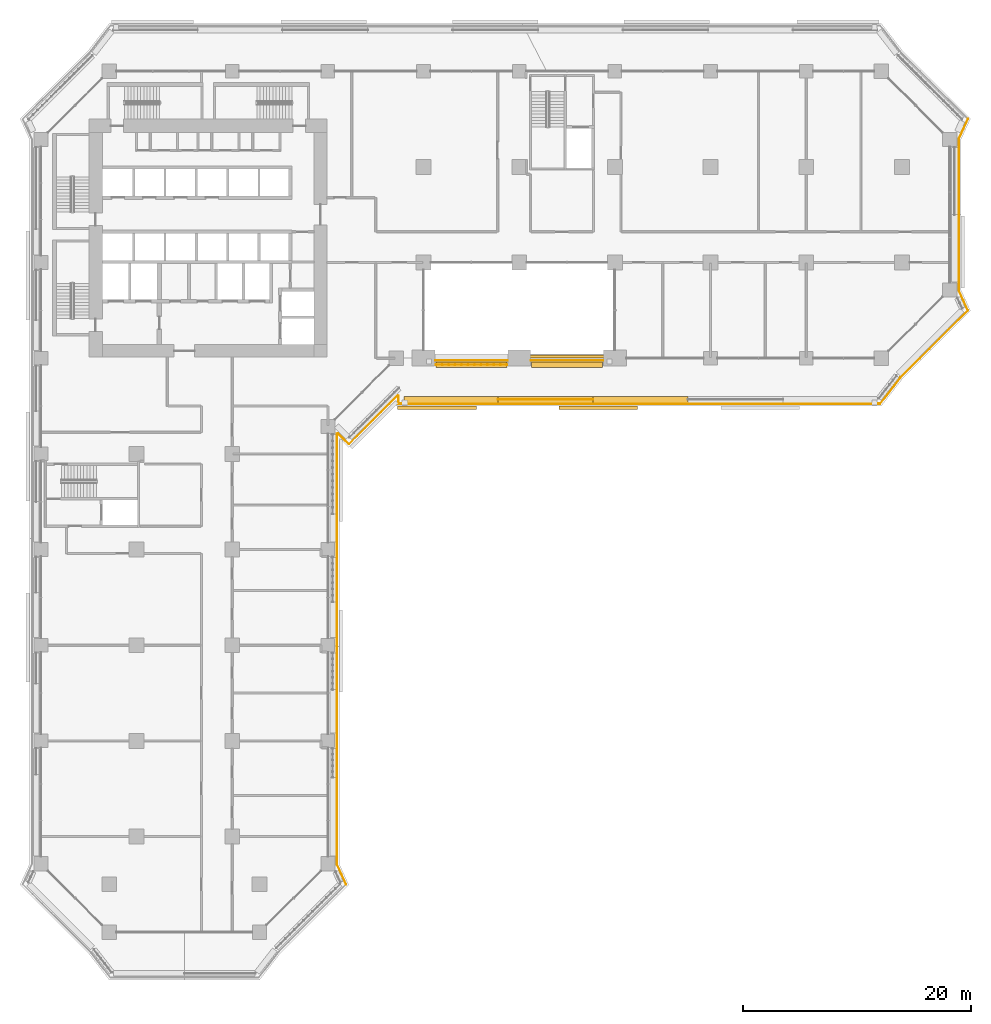
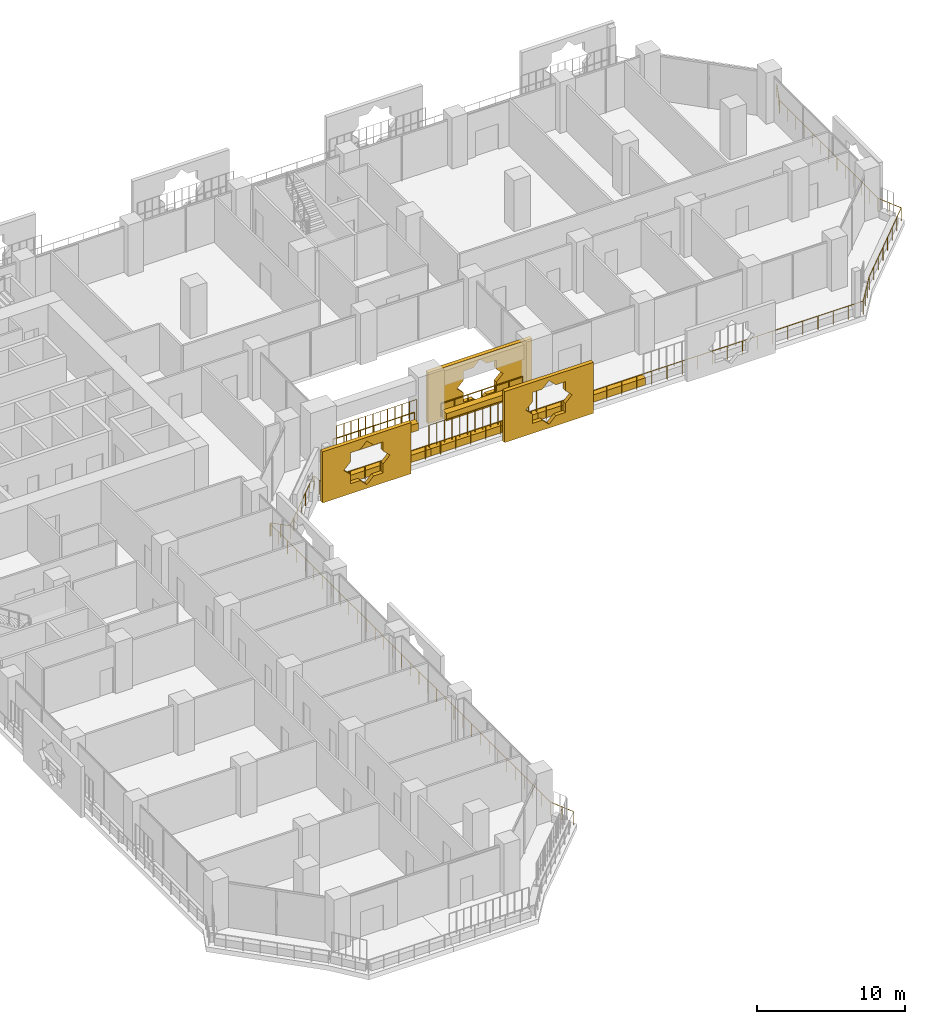
# One storey, part 24 of 28: 8 coverings, 5 railings.
"""IFC4 building model written with IfcOpenShell, lengths in metres."""

import ifcopenshell
import ifcopenshell.guid

model = None  # the IFC model being written
_history = None  # IfcOwnerHistory: only IFC2X3 demands one
_inside = {}  # id of a spatial element -> (the spatial element, [elements in it])
_under = {}  # id of a project, library or spatial element -> (it, [spatial elements below it])
_declared = {}  # id of a project -> (the project, [libraries it declares])
_typed = {}  # id of a type object -> (the type object, [elements of that type])
_made_of = {}  # id of a material, layer set ... -> (it, [elements and type objects made of it])


def new_model(schema):
    """Start an empty IFC model of exactly this schema.

    Asked for "IFC4X3", IfcOpenShell would pick the latest addendum, in which some entities
    have other attributes; the version numbers below select the first issue.
    IFC2X3 requires an IfcOwnerHistory on every rooted entity: one is made here for all.
    """
    global model, _history
    if schema == "IFC4X3":
        model = ifcopenshell.file(schema_version=(4, 3, 0, 0))
    else:
        model = ifcopenshell.file(schema=schema)
    _inside.clear()
    _under.clear()
    _declared.clear()
    _typed.clear()
    _made_of.clear()
    _history = None
    if model.schema == "IFC2X3":
        org = make("IfcOrganization", Name="unknown")
        user = make(
            "IfcPersonAndOrganization",
            ThePerson=make("IfcPerson", FamilyName="unknown"),
            TheOrganization=org,
        )
        app = make(
            "IfcApplication",
            ApplicationDeveloper=org,
            Version="unknown",
            ApplicationFullName="unknown",
            ApplicationIdentifier="unknown",
        )
        _history = make(
            "IfcOwnerHistory",
            OwningUser=user,
            OwningApplication=app,
            ChangeAction="ADDED",
            CreationDate=0,
        )
    return model


def make(cls, **values):
    """One entity of the class cls with the attributes given. An attribute that is None is left unset."""
    return model.create_entity(
        cls, **{name: value for name, value in values.items() if value is not None}
    )


def rooted(cls, **values):
    """An entity with a GlobalId (a new one), such as an element, a storey or a relation."""
    return make(cls, GlobalId=ifcopenshell.guid.new(), OwnerHistory=_history, **values)


def si_unit(unit_type, name, prefix=None):
    """IfcSIUnit, for example si_unit("LENGTHUNIT", "METRE", prefix="MILLI")."""
    return make("IfcSIUnit", UnitType=unit_type, Prefix=prefix, Name=name)


def assignment(units):
    """IfcUnitAssignment: the units of a project."""
    return None if units is None else make("IfcUnitAssignment", Units=units)


def point(xyz):
    """IfcCartesianPoint."""
    return None if xyz is None else make("IfcCartesianPoint", Coordinates=xyz)


def direction(xyz):
    """IfcDirection."""
    return None if xyz is None else make("IfcDirection", DirectionRatios=xyz)


def frame(location, z_axis=None, x_axis=None):
    """IfcAxis2Placement3D, a coordinate frame: its origin and axes. An axis left out is left unset."""
    return make(
        "IfcAxis2Placement3D",
        Location=point(location),
        Axis=direction(z_axis),
        RefDirection=direction(x_axis),
    )


def frame_2d(location, x_axis=None):
    """IfcAxis2Placement2D, a coordinate frame in the plane: its origin and x axis."""
    return make(
        "IfcAxis2Placement2D", Location=point(location), RefDirection=direction(x_axis)
    )


def origin():
    """The frame at (0, 0, 0) with its axes left unset."""
    return frame((0.0, 0.0, 0.0))


def origin_2d():
    """The frame at (0, 0) in the plane with its x axis left unset."""
    return frame_2d((0.0, 0.0))


def place(relative_to, where):
    """IfcLocalPlacement: puts the frame where relative to a parent placement (None: the world)."""
    return make(
        "IfcLocalPlacement", PlacementRelTo=relative_to, RelativePlacement=where
    )


def context(
    kind, dimensions, precision=None, world=None, true_north=None, identifier=None
):
    """IfcGeometricRepresentationContext, for example the 3D "Model" context."""
    return make(
        "IfcGeometricRepresentationContext",
        ContextIdentifier=identifier,
        ContextType=kind,
        CoordinateSpaceDimension=dimensions,
        Precision=precision,
        WorldCoordinateSystem=world,
        TrueNorth=true_north,
    )


def subcontext(parent, identifier, kind, view, scale=None):
    """IfcGeometricRepresentationSubContext, for example "Body" below "Model"."""
    return make(
        "IfcGeometricRepresentationSubContext",
        ContextIdentifier=identifier,
        ContextType=kind,
        ParentContext=parent,
        TargetScale=scale,
        TargetView=view,
    )


def project(units=None, contexts=None):
    """IfcProject with its units and contexts."""
    return rooted(
        "IfcProject",
        Name="project",
        RepresentationContexts=contexts,
        UnitsInContext=assignment(units),
    )


def spatial(cls, under=None, at=None, **own):
    """A site, building, storey or space (cls), placed at a placement, below another one or the project."""
    s = rooted(cls, ObjectPlacement=at, **own)
    if under is not None:
        _under.setdefault(under.id(), (under, []))[1].append(s)
    return s


def polyline(points):
    """IfcPolyline through the points."""
    return make("IfcPolyline", Points=[point(p) for p in points])


def profile(cls, at=None, kind="AREA", **sizes):
    """A parametric profile (cls). Its sizes go by their IFC names, for example OverallWidth=200.0."""
    return make(cls, ProfileType=kind, Position=at, **sizes)


def rectangle(**sizes):
    """IfcRectangleProfileDef."""
    return profile("IfcRectangleProfileDef", **sizes)


def circle(**sizes):
    """IfcCircleProfileDef."""
    return profile("IfcCircleProfileDef", **sizes)


def outline(outer, holes=None, kind="AREA"):
    """IfcArbitraryClosedProfileDef: a profile drawn as a closed curve; with holes, ...WithVoids."""
    if holes is None:
        return make("IfcArbitraryClosedProfileDef", ProfileType=kind, OuterCurve=outer)
    return make(
        "IfcArbitraryProfileDefWithVoids",
        ProfileType=kind,
        OuterCurve=outer,
        InnerCurves=holes,
    )


def extrude(swept, where, along, depth):
    """IfcExtrudedAreaSolid: the profile swept, set in the frame where, extruded along a direction by depth."""
    return make(
        "IfcExtrudedAreaSolid",
        SweptArea=swept,
        Position=where,
        ExtrudedDirection=direction(along),
        Depth=depth,
    )


def shape(context_of_items, identifier, shape_type, items):
    """IfcShapeRepresentation: the items that make up one representation, for example the "Body"."""
    return make(
        "IfcShapeRepresentation",
        ContextOfItems=context_of_items,
        RepresentationIdentifier=identifier,
        RepresentationType=shape_type,
        Items=items,
    )


def material(Name=None, Category=None):
    """IfcMaterial."""
    return make("IfcMaterial", Name=Name, Category=Category)


def material_profile(
    of_material, cross_section, Name=None, Category=None, Priority=None
):
    """IfcMaterialProfile: a cross section and its material."""
    return make(
        "IfcMaterialProfile",
        Name=Name,
        Material=of_material,
        Profile=cross_section,
        Priority=Priority,
        Category=Category,
    )


def profile_set(profiles, Name=None, composite=None):
    """IfcMaterialProfileSet."""
    return make(
        "IfcMaterialProfileSet",
        Name=Name,
        MaterialProfiles=profiles,
        CompositeProfile=composite,
    )


def made_of(thing, what):
    """Note that an element or type object is made of a material, layer set ...; save() writes the relation."""
    if what is not None:
        _made_of.setdefault(what.id(), (what, []))[1].append(thing)
    return thing


def type_object(cls, material=None, **own):
    """A type object (cls), such as IfcWallType, which elements share."""
    return made_of(rooted(cls, **own), material)


def element(
    cls,
    number,
    at=None,
    inside=None,
    cuts=None,
    type_object=None,
    material=None,
    context=None,
    identifier="Body",
    shape_type=None,
    held_by="IfcProductDefinitionShape",
    body=None,
    shapes=None,
    **own,
):
    """One element of the class cls, such as IfcWall. Its Tag is "e" and its number.

    at: its placement. inside: the storey or other place that contains it. cuts: it is an
    opening in that element (IfcRelVoidsElement). A single representation is given by context,
    identifier, shape_type and body (its items); several are given by shapes. held_by: the class
    of the entity that holds the representations. save() writes the other relations.
    """
    e = rooted(cls, Tag="e%d" % number, ObjectPlacement=at, **own)
    if body is not None:
        shapes = [shape(context, identifier, shape_type, body)]
    if shapes is not None:
        e.Representation = make(held_by, Representations=shapes)
    if inside is not None:
        _inside.setdefault(inside.id(), (inside, []))[1].append(e)
    if cuts is not None:
        rooted(
            "IfcRelVoidsElement", RelatingBuildingElement=cuts, RelatedOpeningElement=e
        )
    if type_object is not None:
        _typed.setdefault(type_object.id(), (type_object, []))[1].append(e)
    return made_of(e, material)


def aggregate(whole, parts):
    """IfcRelAggregates: a whole, such as a stair, and the parts it consists of."""
    return rooted("IfcRelAggregates", RelatingObject=whole, RelatedObjects=parts)


def save(model, path):
    """Write the relations noted so far, then the file.

    IfcRelAggregates (storeys below a building ...), IfcRelContainedInSpatialStructure (elements
    in a storey), IfcRelDefinesByType, IfcRelAssociatesMaterial and IfcRelDeclares: one each for
    every whole, place, type object, material and project.
    """
    for whole, parts in _under.values():
        aggregate(whole, parts)
    for where, things in _inside.values():
        rooted(
            "IfcRelContainedInSpatialStructure",
            RelatedElements=things,
            RelatingStructure=where,
        )
    for kind, things in _typed.values():
        rooted("IfcRelDefinesByType", RelatedObjects=things, RelatingType=kind)
    for what, things in _made_of.values():
        rooted("IfcRelAssociatesMaterial", RelatedObjects=things, RelatingMaterial=what)
    for by, libraries in _declared.values():
        rooted("IfcRelDeclares", RelatingContext=by, RelatedDefinitions=libraries)
    model.write(path)


model = new_model("IFC4")

# Units and contexts
model_context = context("Model", 3, precision=1e-05, world=origin(), true_north=direction((0.0, 1.0)))
body_context = subcontext(model_context, "Body", "Model", "MODEL_VIEW")
ifc_project = project(units=[si_unit("LENGTHUNIT", "METRE"), si_unit("AREAUNIT", "SQUARE_METRE"), si_unit("VOLUMEUNIT", "CUBIC_METRE"), si_unit("PLANEANGLEUNIT", "RADIAN"), si_unit("MASSUNIT", "GRAM", prefix="KILO")], contexts=[model_context])

# Site, building, storey
site_placement = place(None, origin())
site = spatial("IfcSite", under=ifc_project, at=site_placement, CompositionType="ELEMENT")
building_placement = place(site_placement, origin())
building = spatial("IfcBuilding", under=site, at=building_placement, Name="Kawkab Arch Medical Tower", CompositionType="ELEMENT")
storey_placement = place(building_placement, frame((0.0, 0.0, 47.60009765625)))
storey = spatial("IfcBuildingStorey", under=building, at=storey_placement, Name="L10", CompositionType="ELEMENT", Elevation=47.60009765625)

# Railings
ifc_material_1 = material(Name="Bronze anodised aluminium guard", Category="aluminium")
railing_type_1 = type_object("IfcRailingType", Name="Loggia and terrace guard 1100", PredefinedType="GUARDRAIL", material=ifc_material_1)
for number, where, name in (
    (1, (34.6298828125, -25.39990234375, 0.0), "Guard L10.LOG-01.1.1"),
    (2, (43.030029296875, -25.39990234375, 0.0), "Guard L10.LOG-01.1.2"),
):
    element("IfcRailing", number, at=place(storey_placement, frame(where)), inside=storey, type_object=railing_type_1, Name=name, PredefinedType="GUARDRAIL", context=body_context, shape_type="SweptSolid", body=[
        extrude(circle(Radius=0.02392578125, at=origin_2d()), frame((0.0, 0.0, 1.076171875), z_axis=(1.0, 0.0, 0.0), x_axis=(0.0, 1.0, 0.0)), (0.0, 0.0, 1.0), 6.340087890625),
        extrude(circle(Radius=0.02099609375, at=origin_2d()), origin(), (0.0, 0.0, 1.0), 1.052001953125),
        extrude(circle(Radius=0.02099609375, at=origin_2d()), frame((1.056640625, 0.0, 0.0)), (0.0, 0.0, 1.0), 1.052001953125),
        extrude(circle(Radius=0.02099609375, at=origin_2d()), frame((2.11328125, 0.0, 0.0)), (0.0, 0.0, 1.0), 1.052001953125),
        extrude(circle(Radius=0.02099609375, at=origin_2d()), frame((3.169921875, 0.0, 0.0)), (0.0, 0.0, 1.0), 1.052001953125),
        extrude(circle(Radius=0.02099609375, at=origin_2d()), frame((4.226806640625, 0.0, 0.0)), (0.0, 0.0, 1.0), 1.052001953125),
        extrude(circle(Radius=0.02099609375, at=origin_2d()), frame((5.283447265625, 0.0, 0.0)), (0.0, 0.0, 1.0), 1.052001953125),
        extrude(circle(Radius=0.02099609375, at=origin_2d()), frame((6.340087890625, 0.0, 0.0)), (0.0, 0.0, 1.0), 1.052001953125),
    ])
railing_1_placement = place(storey_placement, frame((81.39794921875, -4.205078125, 0.0)))
element("IfcRailing", 3, at=railing_1_placement, inside=storey, type_object=railing_type_1, Name="Guard L10.LOG-01.2.2", PredefinedType="GUARDRAIL", context=body_context, shape_type="SweptSolid", body=[
    extrude(circle(Radius=0.02392578125, at=origin_2d()), frame((0.0, 0.0, 1.076171875), z_axis=(-0.414452581809, -0.910070907914, 0.0), x_axis=(0.910070907914, -0.414452581809, 0.0)), (0.0, 0.0, 1.0), 1.925048828125),
    extrude(circle(Radius=0.02392578125, at=origin_2d()), frame((-0.7978515625, -1.751953125, 1.076171875), z_axis=(0.0, -1.0, 0.0), x_axis=(1.0, 0.0, 0.0)), (0.0, 0.0, 1.0), 13.285888671875),
    extrude(circle(Radius=0.02392578125, at=origin_2d()), frame((-0.7978515625, -15.037841796875, 1.076171875), z_axis=(0.414404752076, -0.910092688388, 0.0), x_axis=(0.910092688388, 0.414404752076, 0.0)), (0.0, 0.0, 1.0), 1.92529296875),
    extrude(circle(Radius=0.02392578125, at=origin_2d()), frame((0.0, -16.7900390625, 1.076171875), z_axis=(-0.707106781187, -0.707106781187, 0.0), x_axis=(0.707106781187, -0.707106781187, 0.0)), (0.0, 0.0, 1.0), 8.35791015625),
    extrude(circle(Radius=0.02392578125, at=origin_2d()), frame((-5.909912109375, -22.699951171875, 1.076171875), z_axis=(-0.614196313452, -0.789153273162, 0.0), x_axis=(0.789153273162, -0.614196313452, 0.0)), (0.0, 0.0, 1.0), 2.908203125),
    extrude(circle(Radius=0.02392578125, at=origin_2d()), frame((-7.696044921875, -24.994873046875, 1.076171875), z_axis=(-1.0, 0.0, 0.0), x_axis=(0.0, -1.0, 0.0)), (0.0, 0.0, 1.0), 42.302001953125),
    extrude(circle(Radius=0.02392578125, at=origin_2d()), frame((-49.998046875, -24.994873046875, 1.076171875), z_axis=(0.0, 1.0, 0.0), x_axis=(-1.0, 0.0, 0.0)), (0.0, 0.0, 1.0), 0.6728515625),
    extrude(circle(Radius=0.02392578125, at=origin_2d()), frame((-49.998046875, -24.322021484375, 1.076171875), z_axis=(-0.923431341387, 0.383763674343, 0.0), x_axis=(-0.383763674343, -0.923431341387, 0.0)), (0.0, 0.0, 1.0), 0.101806640625),
    extrude(circle(Radius=0.02392578125, at=origin_2d()), frame((-50.092041015625, -24.282958984375, 1.076171875), z_axis=(-0.707187685852, -0.707025867263, 0.0), x_axis=(0.707025867263, -0.707187685852, 0.0)), (0.0, 0.0, 1.0), 6.034912109375),
    extrude(circle(Radius=0.02392578125, at=origin_2d()), frame((-54.35986328125, -28.5498046875, 1.076171875), z_axis=(-0.707198215437, 0.707015335112, 0.0), x_axis=(-0.707015335112, -0.707198215437, 0.0)), (0.0, 0.0, 1.0), 1.3349609375),
    extrude(circle(Radius=0.02392578125, at=origin_2d()), frame((-55.303955078125, -27.60595703125, 1.076171875), z_axis=(-0.923431341387, -0.383763674343, 0.0), x_axis=(0.383763674343, -0.923431341387, 0.0)), (0.0, 0.0, 1.0), 0.101806640625),
    extrude(circle(Radius=0.02392578125, at=origin_2d()), frame((-55.39794921875, -27.64501953125, 1.076171875), z_axis=(0.0, -1.0, 0.0), x_axis=(1.0, 0.0, 0.0)), (0.0, 0.0, 1.0), 37.79296875),
    extrude(circle(Radius=0.02392578125, at=origin_2d()), frame((-55.39794921875, -65.43798828125, 1.076171875), z_axis=(0.414557610759, -0.910023069687, 0.0), x_axis=(0.910023069687, 0.414557610759, 0.0)), (0.0, 0.0, 1.0), 1.92529296875),
    extrude(circle(Radius=0.02099609375, at=origin_2d()), origin(), (0.0, 0.0, 1.0), 1.052001953125),
    extrude(circle(Radius=0.02099609375, at=origin_2d()), frame((-0.39892578125, -0.8759765625, 0.0)), (0.0, 0.0, 1.0), 1.052001953125),
    extrude(circle(Radius=0.02099609375, at=origin_2d()), frame((-0.7978515625, -1.751953125, 0.0)), (0.0, 0.0, 1.0), 1.052001953125),
    extrude(circle(Radius=0.02099609375, at=origin_2d()), frame((-0.7978515625, -2.859130859375, 0.0)), (0.0, 0.0, 1.0), 1.052001953125),
    extrude(circle(Radius=0.02099609375, at=origin_2d()), frame((-0.7978515625, -3.96630859375, 0.0)), (0.0, 0.0, 1.0), 1.052001953125),
    extrude(circle(Radius=0.02099609375, at=origin_2d()), frame((-0.7978515625, -5.073486328125, 0.0)), (0.0, 0.0, 1.0), 1.052001953125),
    extrude(circle(Radius=0.02099609375, at=origin_2d()), frame((-0.7978515625, -6.1806640625, 0.0)), (0.0, 0.0, 1.0), 1.052001953125),
    extrude(circle(Radius=0.02099609375, at=origin_2d()), frame((-0.7978515625, -7.287841796875, 0.0)), (0.0, 0.0, 1.0), 1.052001953125),
    extrude(circle(Radius=0.02099609375, at=origin_2d()), frame((-0.7978515625, -8.39501953125, 0.0)), (0.0, 0.0, 1.0), 1.052001953125),
    extrude(circle(Radius=0.02099609375, at=origin_2d()), frame((-0.7978515625, -9.501953125, 0.0)), (0.0, 0.0, 1.0), 1.052001953125),
    extrude(circle(Radius=0.02099609375, at=origin_2d()), frame((-0.7978515625, -10.609130859375, 0.0)), (0.0, 0.0, 1.0), 1.052001953125),
    extrude(circle(Radius=0.02099609375, at=origin_2d()), frame((-0.7978515625, -11.71630859375, 0.0)), (0.0, 0.0, 1.0), 1.052001953125),
    extrude(circle(Radius=0.02099609375, at=origin_2d()), frame((-0.7978515625, -12.823486328125, 0.0)), (0.0, 0.0, 1.0), 1.052001953125),
    extrude(circle(Radius=0.02099609375, at=origin_2d()), frame((-0.7978515625, -13.9306640625, 0.0)), (0.0, 0.0, 1.0), 1.052001953125),
    extrude(circle(Radius=0.02099609375, at=origin_2d()), frame((-0.7978515625, -15.037841796875, 0.0)), (0.0, 0.0, 1.0), 1.052001953125),
    extrude(circle(Radius=0.02099609375, at=origin_2d()), frame((-0.39892578125, -15.9140625, 0.0)), (0.0, 0.0, 1.0), 1.052001953125),
    extrude(circle(Radius=0.02099609375, at=origin_2d()), frame((0.0, -16.7900390625, 0.0)), (0.0, 0.0, 1.0), 1.052001953125),
    extrude(circle(Radius=0.02099609375, at=origin_2d()), frame((-0.84423828125, -17.63427734375, 0.0)), (0.0, 0.0, 1.0), 1.052001953125),
    extrude(circle(Radius=0.02099609375, at=origin_2d()), frame((-1.6884765625, -18.478515625, 0.0)), (0.0, 0.0, 1.0), 1.052001953125),
    extrude(circle(Radius=0.02099609375, at=origin_2d()), frame((-2.53271484375, -19.32275390625, 0.0)), (0.0, 0.0, 1.0), 1.052001953125),
    extrude(circle(Radius=0.02099609375, at=origin_2d()), frame((-3.377197265625, -20.167236328125, 0.0)), (0.0, 0.0, 1.0), 1.052001953125),
    extrude(circle(Radius=0.02099609375, at=origin_2d()), frame((-4.221435546875, -21.011474609375, 0.0)), (0.0, 0.0, 1.0), 1.052001953125),
    extrude(circle(Radius=0.02099609375, at=origin_2d()), frame((-5.065673828125, -21.855712890625, 0.0)), (0.0, 0.0, 1.0), 1.052001953125),
    extrude(circle(Radius=0.02099609375, at=origin_2d()), frame((-5.909912109375, -22.699951171875, 0.0)), (0.0, 0.0, 1.0), 1.052001953125),
    extrude(circle(Radius=0.02099609375, at=origin_2d()), frame((-6.50537109375, -23.46484375, 0.0)), (0.0, 0.0, 1.0), 1.052001953125),
    extrude(circle(Radius=0.02099609375, at=origin_2d()), frame((-7.1005859375, -24.22998046875, 0.0)), (0.0, 0.0, 1.0), 1.052001953125),
    extrude(circle(Radius=0.02099609375, at=origin_2d()), frame((-7.696044921875, -24.994873046875, 0.0)), (0.0, 0.0, 1.0), 1.052001953125),
    extrude(circle(Radius=0.02099609375, at=origin_2d()), frame((-8.87109375, -24.994873046875, 0.0)), (0.0, 0.0, 1.0), 1.052001953125),
    extrude(circle(Radius=0.02099609375, at=origin_2d()), frame((-10.046142578125, -24.994873046875, 0.0)), (0.0, 0.0, 1.0), 1.052001953125),
    extrude(circle(Radius=0.02099609375, at=origin_2d()), frame((-11.22119140625, -24.994873046875, 0.0)), (0.0, 0.0, 1.0), 1.052001953125),
    extrude(circle(Radius=0.02099609375, at=origin_2d()), frame((-12.396240234375, -24.994873046875, 0.0)), (0.0, 0.0, 1.0), 1.052001953125),
    extrude(circle(Radius=0.02099609375, at=origin_2d()), frame((-13.5712890625, -24.994873046875, 0.0)), (0.0, 0.0, 1.0), 1.052001953125),
    extrude(circle(Radius=0.02099609375, at=origin_2d()), frame((-14.746337890625, -24.994873046875, 0.0)), (0.0, 0.0, 1.0), 1.052001953125),
    extrude(circle(Radius=0.02099609375, at=origin_2d()), frame((-15.92138671875, -24.994873046875, 0.0)), (0.0, 0.0, 1.0), 1.052001953125),
    extrude(circle(Radius=0.02099609375, at=origin_2d()), frame((-17.096435546875, -24.994873046875, 0.0)), (0.0, 0.0, 1.0), 1.052001953125),
    extrude(circle(Radius=0.02099609375, at=origin_2d()), frame((-18.271484375, -24.994873046875, 0.0)), (0.0, 0.0, 1.0), 1.052001953125),
    extrude(circle(Radius=0.02099609375, at=origin_2d()), frame((-19.446533203125, -24.994873046875, 0.0)), (0.0, 0.0, 1.0), 1.052001953125),
    extrude(circle(Radius=0.02099609375, at=origin_2d()), frame((-20.62158203125, -24.994873046875, 0.0)), (0.0, 0.0, 1.0), 1.052001953125),
    extrude(circle(Radius=0.02099609375, at=origin_2d()), frame((-21.796630859375, -24.994873046875, 0.0)), (0.0, 0.0, 1.0), 1.052001953125),
    extrude(circle(Radius=0.02099609375, at=origin_2d()), frame((-22.9716796875, -24.994873046875, 0.0)), (0.0, 0.0, 1.0), 1.052001953125),
    extrude(circle(Radius=0.02099609375, at=origin_2d()), frame((-24.146728515625, -24.994873046875, 0.0)), (0.0, 0.0, 1.0), 1.052001953125),
    extrude(circle(Radius=0.02099609375, at=origin_2d()), frame((-25.32177734375, -24.994873046875, 0.0)), (0.0, 0.0, 1.0), 1.052001953125),
    extrude(circle(Radius=0.02099609375, at=origin_2d()), frame((-26.496826171875, -24.994873046875, 0.0)), (0.0, 0.0, 1.0), 1.052001953125),
    extrude(circle(Radius=0.02099609375, at=origin_2d()), frame((-27.671875, -24.994873046875, 0.0)), (0.0, 0.0, 1.0), 1.052001953125),
    extrude(circle(Radius=0.02099609375, at=origin_2d()), frame((-28.84716796875, -24.994873046875, 0.0)), (0.0, 0.0, 1.0), 1.052001953125),
    extrude(circle(Radius=0.02099609375, at=origin_2d()), frame((-30.022216796875, -24.994873046875, 0.0)), (0.0, 0.0, 1.0), 1.052001953125),
    extrude(circle(Radius=0.02099609375, at=origin_2d()), frame((-31.197265625, -24.994873046875, 0.0)), (0.0, 0.0, 1.0), 1.052001953125),
    extrude(circle(Radius=0.02099609375, at=origin_2d()), frame((-32.372314453125, -24.994873046875, 0.0)), (0.0, 0.0, 1.0), 1.052001953125),
    extrude(circle(Radius=0.02099609375, at=origin_2d()), frame((-33.54736328125, -24.994873046875, 0.0)), (0.0, 0.0, 1.0), 1.052001953125),
    extrude(circle(Radius=0.02099609375, at=origin_2d()), frame((-34.722412109375, -24.994873046875, 0.0)), (0.0, 0.0, 1.0), 1.052001953125),
    extrude(circle(Radius=0.02099609375, at=origin_2d()), frame((-35.8974609375, -24.994873046875, 0.0)), (0.0, 0.0, 1.0), 1.052001953125),
    extrude(circle(Radius=0.02099609375, at=origin_2d()), frame((-37.072509765625, -24.994873046875, 0.0)), (0.0, 0.0, 1.0), 1.052001953125),
    extrude(circle(Radius=0.02099609375, at=origin_2d()), frame((-38.24755859375, -24.994873046875, 0.0)), (0.0, 0.0, 1.0), 1.052001953125),
    extrude(circle(Radius=0.02099609375, at=origin_2d()), frame((-39.422607421875, -24.994873046875, 0.0)), (0.0, 0.0, 1.0), 1.052001953125),
    extrude(circle(Radius=0.02099609375, at=origin_2d()), frame((-40.59765625, -24.994873046875, 0.0)), (0.0, 0.0, 1.0), 1.052001953125),
    extrude(circle(Radius=0.02099609375, at=origin_2d()), frame((-41.772705078125, -24.994873046875, 0.0)), (0.0, 0.0, 1.0), 1.052001953125),
    extrude(circle(Radius=0.02099609375, at=origin_2d()), frame((-42.94775390625, -24.994873046875, 0.0)), (0.0, 0.0, 1.0), 1.052001953125),
    extrude(circle(Radius=0.02099609375, at=origin_2d()), frame((-44.122802734375, -24.994873046875, 0.0)), (0.0, 0.0, 1.0), 1.052001953125),
    extrude(circle(Radius=0.02099609375, at=origin_2d()), frame((-45.2978515625, -24.994873046875, 0.0)), (0.0, 0.0, 1.0), 1.052001953125),
    extrude(circle(Radius=0.02099609375, at=origin_2d()), frame((-46.472900390625, -24.994873046875, 0.0)), (0.0, 0.0, 1.0), 1.052001953125),
    extrude(circle(Radius=0.02099609375, at=origin_2d()), frame((-47.64794921875, -24.994873046875, 0.0)), (0.0, 0.0, 1.0), 1.052001953125),
    extrude(circle(Radius=0.02099609375, at=origin_2d()), frame((-48.822998046875, -24.994873046875, 0.0)), (0.0, 0.0, 1.0), 1.052001953125),
    extrude(circle(Radius=0.02099609375, at=origin_2d()), frame((-49.998046875, -24.994873046875, 0.0)), (0.0, 0.0, 1.0), 1.052001953125),
    extrude(circle(Radius=0.02099609375, at=origin_2d()), frame((-49.998046875, -24.322021484375, 0.0)), (0.0, 0.0, 1.0), 1.052001953125),
    extrude(circle(Radius=0.02099609375, at=origin_2d()), frame((-50.092041015625, -24.282958984375, 0.0)), (0.0, 0.0, 1.0), 1.052001953125),
    extrude(circle(Radius=0.02099609375, at=origin_2d()), frame((-50.80322265625, -24.994140625, 0.0)), (0.0, 0.0, 1.0), 1.052001953125),
    extrude(circle(Radius=0.02099609375, at=origin_2d()), frame((-51.5146484375, -25.705322265625, 0.0)), (0.0, 0.0, 1.0), 1.052001953125),
    extrude(circle(Radius=0.02099609375, at=origin_2d()), frame((-52.22607421875, -26.41650390625, 0.0)), (0.0, 0.0, 1.0), 1.052001953125),
    extrude(circle(Radius=0.02099609375, at=origin_2d()), frame((-52.937255859375, -27.12744140625, 0.0)), (0.0, 0.0, 1.0), 1.052001953125),
    extrude(circle(Radius=0.02099609375, at=origin_2d()), frame((-53.6484375, -27.838623046875, 0.0)), (0.0, 0.0, 1.0), 1.052001953125),
    extrude(circle(Radius=0.02099609375, at=origin_2d()), frame((-54.35986328125, -28.5498046875, 0.0)), (0.0, 0.0, 1.0), 1.052001953125),
    extrude(circle(Radius=0.02099609375, at=origin_2d()), frame((-54.83203125, -28.077880859375, 0.0)), (0.0, 0.0, 1.0), 1.052001953125),
    extrude(circle(Radius=0.02099609375, at=origin_2d()), frame((-55.303955078125, -27.60595703125, 0.0)), (0.0, 0.0, 1.0), 1.052001953125),
    extrude(circle(Radius=0.02099609375, at=origin_2d()), frame((-55.39794921875, -27.64501953125, 0.0)), (0.0, 0.0, 1.0), 1.052001953125),
    extrude(circle(Radius=0.02099609375, at=origin_2d()), frame((-55.39794921875, -28.826171875, 0.0)), (0.0, 0.0, 1.0), 1.052001953125),
    extrude(circle(Radius=0.02099609375, at=origin_2d()), frame((-55.39794921875, -30.007080078125, 0.0)), (0.0, 0.0, 1.0), 1.052001953125),
    extrude(circle(Radius=0.02099609375, at=origin_2d()), frame((-55.39794921875, -31.18798828125, 0.0)), (0.0, 0.0, 1.0), 1.052001953125),
    extrude(circle(Radius=0.02099609375, at=origin_2d()), frame((-55.39794921875, -32.369140625, 0.0)), (0.0, 0.0, 1.0), 1.052001953125),
    extrude(circle(Radius=0.02099609375, at=origin_2d()), frame((-55.39794921875, -33.55029296875, 0.0)), (0.0, 0.0, 1.0), 1.052001953125),
    extrude(circle(Radius=0.02099609375, at=origin_2d()), frame((-55.39794921875, -34.731201171875, 0.0)), (0.0, 0.0, 1.0), 1.052001953125),
    extrude(circle(Radius=0.02099609375, at=origin_2d()), frame((-55.39794921875, -35.912109375, 0.0)), (0.0, 0.0, 1.0), 1.052001953125),
    extrude(circle(Radius=0.02099609375, at=origin_2d()), frame((-55.39794921875, -37.09326171875, 0.0)), (0.0, 0.0, 1.0), 1.052001953125),
    extrude(circle(Radius=0.02099609375, at=origin_2d()), frame((-55.39794921875, -38.2744140625, 0.0)), (0.0, 0.0, 1.0), 1.052001953125),
    extrude(circle(Radius=0.02099609375, at=origin_2d()), frame((-55.39794921875, -39.455322265625, 0.0)), (0.0, 0.0, 1.0), 1.052001953125),
    extrude(circle(Radius=0.02099609375, at=origin_2d()), frame((-55.39794921875, -40.63623046875, 0.0)), (0.0, 0.0, 1.0), 1.052001953125),
    extrude(circle(Radius=0.02099609375, at=origin_2d()), frame((-55.39794921875, -41.8173828125, 0.0)), (0.0, 0.0, 1.0), 1.052001953125),
    extrude(circle(Radius=0.02099609375, at=origin_2d()), frame((-55.39794921875, -42.99853515625, 0.0)), (0.0, 0.0, 1.0), 1.052001953125),
    extrude(circle(Radius=0.02099609375, at=origin_2d()), frame((-55.39794921875, -44.179443359375, 0.0)), (0.0, 0.0, 1.0), 1.052001953125),
    extrude(circle(Radius=0.02099609375, at=origin_2d()), frame((-55.39794921875, -45.3603515625, 0.0)), (0.0, 0.0, 1.0), 1.052001953125),
    extrude(circle(Radius=0.02099609375, at=origin_2d()), frame((-55.39794921875, -46.54150390625, 0.0)), (0.0, 0.0, 1.0), 1.052001953125),
    extrude(circle(Radius=0.02099609375, at=origin_2d()), frame((-55.39794921875, -47.72265625, 0.0)), (0.0, 0.0, 1.0), 1.052001953125),
    extrude(circle(Radius=0.02099609375, at=origin_2d()), frame((-55.39794921875, -48.903564453125, 0.0)), (0.0, 0.0, 1.0), 1.052001953125),
    extrude(circle(Radius=0.02099609375, at=origin_2d()), frame((-55.39794921875, -50.08447265625, 0.0)), (0.0, 0.0, 1.0), 1.052001953125),
    extrude(circle(Radius=0.02099609375, at=origin_2d()), frame((-55.39794921875, -51.265625, 0.0)), (0.0, 0.0, 1.0), 1.052001953125),
    extrude(circle(Radius=0.02099609375, at=origin_2d()), frame((-55.39794921875, -52.44677734375, 0.0)), (0.0, 0.0, 1.0), 1.052001953125),
    extrude(circle(Radius=0.02099609375, at=origin_2d()), frame((-55.39794921875, -53.627685546875, 0.0)), (0.0, 0.0, 1.0), 1.052001953125),
    extrude(circle(Radius=0.02099609375, at=origin_2d()), frame((-55.39794921875, -54.80859375, 0.0)), (0.0, 0.0, 1.0), 1.052001953125),
    extrude(circle(Radius=0.02099609375, at=origin_2d()), frame((-55.39794921875, -55.98974609375, 0.0)), (0.0, 0.0, 1.0), 1.052001953125),
    extrude(circle(Radius=0.02099609375, at=origin_2d()), frame((-55.39794921875, -57.1708984375, 0.0)), (0.0, 0.0, 1.0), 1.052001953125),
    extrude(circle(Radius=0.02099609375, at=origin_2d()), frame((-55.39794921875, -58.351806640625, 0.0)), (0.0, 0.0, 1.0), 1.052001953125),
    extrude(circle(Radius=0.02099609375, at=origin_2d()), frame((-55.39794921875, -59.53271484375, 0.0)), (0.0, 0.0, 1.0), 1.052001953125),
    extrude(circle(Radius=0.02099609375, at=origin_2d()), frame((-55.39794921875, -60.7138671875, 0.0)), (0.0, 0.0, 1.0), 1.052001953125),
    extrude(circle(Radius=0.02099609375, at=origin_2d()), frame((-55.39794921875, -61.89501953125, 0.0)), (0.0, 0.0, 1.0), 1.052001953125),
    extrude(circle(Radius=0.02099609375, at=origin_2d()), frame((-55.39794921875, -63.075927734375, 0.0)), (0.0, 0.0, 1.0), 1.052001953125),
    extrude(circle(Radius=0.02099609375, at=origin_2d()), frame((-55.39794921875, -64.2568359375, 0.0)), (0.0, 0.0, 1.0), 1.052001953125),
    extrude(circle(Radius=0.02099609375, at=origin_2d()), frame((-55.39794921875, -65.43798828125, 0.0)), (0.0, 0.0, 1.0), 1.052001953125),
    extrude(circle(Radius=0.02099609375, at=origin_2d()), frame((-54.9990234375, -66.31396484375, 0.0)), (0.0, 0.0, 1.0), 1.052001953125),
    extrude(circle(Radius=0.02099609375, at=origin_2d()), frame((-54.599853515625, -67.18994140625, 0.0)), (0.0, 0.0, 1.0), 1.052001953125),
])

# Coverings
ifc_material_2 = material(Name="Bronze anodised aluminium mashrabiya panel, eight-point star pattern", Category="aluminium")
ifc_material_profile_1 = material_profile(ifc_material_2, outline(polyline([(-3.449951171875, -2.10009765625), (3.449951171875, -2.10009765625), (3.449951171875, 2.10009765625), (-3.449951171875, 2.10009765625), (-3.449951171875, -2.10009765625)]), holes=[polyline([(1.800048828125, 0.0), (1.272705078125, 0.527099609375), (1.272705078125, 1.272705078125), (0.527099609375, 1.272705078125), (0.0, 1.800048828125), (-0.527099609375, 1.272705078125), (-1.272705078125, 1.272705078125), (-1.272705078125, 0.527099609375), (-1.800048828125, 0.0), (-1.272705078125, -0.527099609375), (-1.272705078125, -1.272705078125), (-0.527099609375, -1.272705078125), (0.0, -1.800048828125), (0.527099609375, -1.272705078125), (1.272705078125, -1.272705078125), (1.272705078125, -0.527099609375), (1.800048828125, 0.0)])]), Name="Mashrabiya panel 6900x4200")
ifc_profile_set_1 = profile_set([ifc_material_profile_1], Name="Bronze anodised aluminium mashrabiya panel, eight-point star pattern")
covering_type_1 = type_object("IfcCoveringType", Name="Mashrabiya panel 6900 x 4200", PredefinedType="USERDEFINED", material=ifc_profile_set_1)
for number, where, z_axis, x_axis, name in (
    (4, (48.953857421875, -29.39990234375, 1.699951171875), (0.0, -1.0, 0.0), (1.0, 0.0, 0.0), "Mashrabiya panel L10.LOG-01-02.11"),
    (5, (34.77880859375, -29.39990234375, 1.699951171875), (0.0, -1.0, 0.0), (1.0, 0.0, 0.0), "Mashrabiya panel L10.LOG-01-02.12"),
):
    element("IfcCovering", number, at=place(storey_placement, frame(where, z_axis=z_axis, x_axis=x_axis)), inside=storey, type_object=covering_type_1, Name=name, ObjectType="SCREEN", PredefinedType="USERDEFINED", context=body_context, shape_type="SweptSolid", body=[
        extrude(outline(polyline([(-3.449951171875, -2.10009765625), (3.449951171875, -2.10009765625), (3.449951171875, 2.10009765625), (-3.449951171875, 2.10009765625), (-3.449951171875, -2.10009765625)]), holes=[polyline([(1.800048828125, 0.0), (1.272705078125, 0.527099609375), (1.272705078125, 1.272705078125), (0.527099609375, 1.272705078125), (0.0, 1.800048828125), (-0.527099609375, 1.272705078125), (-1.272705078125, 1.272705078125), (-1.272705078125, 0.527099609375), (-1.800048828125, 0.0), (-1.272705078125, -0.527099609375), (-1.272705078125, -1.272705078125), (-0.527099609375, -1.272705078125), (0.0, -1.800048828125), (0.527099609375, -1.272705078125), (1.272705078125, -1.272705078125), (1.272705078125, -0.527099609375), (1.800048828125, 0.0)])]), origin(), (0.0, 0.0, 1.0), 0.300048828125),
    ])
ifc_material_3 = material(Name="Bronze anodised aluminium mashrabiya panel, eight-point star pattern", Category="aluminium")
ifc_material_profile_2 = material_profile(ifc_material_3, outline(polyline([(-4.050048828125, -2.10009765625), (4.050048828125, -2.10009765625), (4.050048828125, 2.10009765625), (-4.050048828125, 2.10009765625), (-4.050048828125, -2.10009765625)]), holes=[polyline([(1.800048828125, 0.0), (1.272705078125, 0.527099609375), (1.272705078125, 1.272705078125), (0.527099609375, 1.272705078125), (0.0, 1.800048828125), (-0.527099609375, 1.272705078125), (-1.272705078125, 1.272705078125), (-1.272705078125, 0.527099609375), (-1.800048828125, 0.0), (-1.272705078125, -0.527099609375), (-1.272705078125, -1.272705078125), (-0.527099609375, -1.272705078125), (0.0, -1.800048828125), (0.527099609375, -1.272705078125), (1.272705078125, -1.272705078125), (1.272705078125, -0.527099609375), (1.800048828125, 0.0)])]), Name="Mashrabiya panel 8100x4200")
ifc_profile_set_2 = profile_set([ifc_material_profile_2], Name="Bronze anodised aluminium mashrabiya panel, eight-point star pattern")
covering_type_2 = type_object("IfcCoveringType", Name="Mashrabiya panel 8100 x 4200", PredefinedType="USERDEFINED", material=ifc_profile_set_2)
covering_1_placement = place(storey_placement, frame((46.18505859375, -25.199951171875, 1.699951171875), z_axis=(0.0, 1.0, 0.0), x_axis=(-1.0, 0.0, 0.0)))
element("IfcCovering", 6, at=covering_1_placement, inside=storey, type_object=covering_type_2, Name="Mashrabiya panel L10.LOG-01-01.1", ObjectType="SCREEN", PredefinedType="USERDEFINED", context=body_context, shape_type="SweptSolid", body=[
    extrude(outline(polyline([(-4.050048828125, -2.10009765625), (4.050048828125, -2.10009765625), (4.050048828125, 2.10009765625), (-4.050048828125, 2.10009765625), (-4.050048828125, -2.10009765625)]), holes=[polyline([(1.800048828125, 0.0), (1.272705078125, 0.527099609375), (1.272705078125, 1.272705078125), (0.527099609375, 1.272705078125), (0.0, 1.800048828125), (-0.527099609375, 1.272705078125), (-1.272705078125, 1.272705078125), (-1.272705078125, 0.527099609375), (-1.800048828125, 0.0), (-1.272705078125, -0.527099609375), (-1.272705078125, -1.272705078125), (-0.527099609375, -1.272705078125), (0.0, -1.800048828125), (0.527099609375, -1.272705078125), (1.272705078125, -1.272705078125), (1.272705078125, -0.527099609375), (1.800048828125, 0.0)])]), origin(), (0.0, 0.0, 1.0), 0.300048828125),
])
ifc_material_4 = material(Name="Planting soil in a precast trough", Category="concrete")
ifc_material_profile_3 = material_profile(ifc_material_4, rectangle(XDim=0.5, YDim=0.60009765625, at=origin_2d()), Name="Trough 500x600")
ifc_profile_set_3 = profile_set([ifc_material_profile_3], Name="Planting soil in a precast trough")
covering_type_3 = type_object("IfcCoveringType", Name="Planter trough 500 x 600", PredefinedType="USERDEFINED", material=ifc_profile_set_3)
for number, where, z_axis, x_axis, name in (
    (7, (34.679931640625, -25.780029296875, 0.2998046875), (1.0, 0.0, 0.0), (0.0, 1.0, 0.0), "Planter L10.LOG-01-01.1"),
    (8, (43.080078125, -25.780029296875, 0.2998046875), (1.0, 0.0, 0.0), (0.0, 1.0, 0.0), "Planter L10.LOG-01-01.2"),
):
    element("IfcCovering", number, at=place(storey_placement, frame(where, z_axis=z_axis, x_axis=x_axis)), inside=storey, type_object=covering_type_3, Name=name, ObjectType="PLANTER", PredefinedType="USERDEFINED", context=body_context, shape_type="SweptSolid", body=[
        extrude(rectangle(XDim=0.5, YDim=0.60009765625, at=origin_2d()), origin(), (0.0, 0.0, 1.0), 6.239990234375),
    ])
covering_2_placement = place(storey_placement, frame((56.822021484375, -28.820068359375, 0.2998046875), z_axis=(-1.0, 0.0, 0.0), x_axis=(0.0, -1.0, 0.0)))
element("IfcCovering", 9, at=covering_2_placement, inside=storey, type_object=covering_type_3, Name="Planter L10.LOG-01-02.44", ObjectType="PLANTER", PredefinedType="USERDEFINED", context=body_context, shape_type="SweptSolid", body=[
    extrude(rectangle(XDim=0.5, YDim=0.60009765625, at=origin_2d()), origin(), (0.0, 0.0, 1.0), 8.346923828125),
])
covering_3_placement = place(storey_placement, frame((48.47509765625, -28.820068359375, 0.2998046875), z_axis=(-1.0, 0.0, 0.0), x_axis=(0.0, -1.0, 0.0)))
element("IfcCovering", 10, at=covering_3_placement, inside=storey, type_object=covering_type_3, Name="Planter L10.LOG-01-02.45", ObjectType="PLANTER", PredefinedType="USERDEFINED", context=body_context, shape_type="SweptSolid", body=[
    extrude(rectangle(XDim=0.5, YDim=0.60009765625, at=origin_2d()), origin(), (0.0, 0.0, 1.0), 8.34814453125),
])
covering_4_placement = place(storey_placement, frame((40.126953125, -28.820068359375, 0.2998046875), z_axis=(-1.0, 0.0, 0.0), x_axis=(0.0, -1.0, 0.0)))
element("IfcCovering", 11, at=covering_4_placement, inside=storey, type_object=covering_type_3, Name="Planter L10.LOG-01-02.46", ObjectType="PLANTER", PredefinedType="USERDEFINED", context=body_context, shape_type="SweptSolid", body=[
    extrude(rectangle(XDim=0.5, YDim=0.60009765625, at=origin_2d()), origin(), (0.0, 0.0, 1.0), 8.2470703125),
])

# Railings
ifc_material_5 = material(Name="Bronze anodised aluminium trellis for climbing plants", Category="aluminium")
railing_type_2 = type_object("IfcRailingType", Name="Planting trellis 2400", PredefinedType="USERDEFINED", material=ifc_material_5)
railing_2_placement = place(storey_placement, frame((34.679931640625, -25.780029296875, 0.0)))
element("IfcRailing", 12, at=railing_2_placement, inside=storey, type_object=railing_type_2, Name="Planting trellis L10.LOG-01-01.1", ObjectType="TRELLIS", PredefinedType="USERDEFINED", context=body_context, shape_type="SweptSolid", body=[
    extrude(circle(Radius=0.01513671875, at=origin_2d()), frame((0.0, 0.0, 2.384765625), z_axis=(1.0, 0.0, 0.0), x_axis=(0.0, 1.0, 0.0)), (0.0, 0.0, 1.0), 6.239990234375),
    extrude(circle(Radius=0.030029296875, at=origin_2d()), origin(), (0.0, 0.0, 1.0), 2.369873046875),
    extrude(circle(Radius=0.030029296875, at=origin_2d()), frame((0.5673828125, 0.0, 0.0)), (0.0, 0.0, 1.0), 2.369873046875),
    extrude(circle(Radius=0.030029296875, at=origin_2d()), frame((1.134521484375, 0.0, 0.0)), (0.0, 0.0, 1.0), 2.369873046875),
    extrude(circle(Radius=0.030029296875, at=origin_2d()), frame((1.701904296875, 0.0, 0.0)), (0.0, 0.0, 1.0), 2.369873046875),
    extrude(circle(Radius=0.030029296875, at=origin_2d()), frame((2.26904296875, 0.0, 0.0)), (0.0, 0.0, 1.0), 2.369873046875),
    extrude(circle(Radius=0.030029296875, at=origin_2d()), frame((2.83642578125, 0.0, 0.0)), (0.0, 0.0, 1.0), 2.369873046875),
    extrude(circle(Radius=0.030029296875, at=origin_2d()), frame((3.403564453125, 0.0, 0.0)), (0.0, 0.0, 1.0), 2.369873046875),
    extrude(circle(Radius=0.030029296875, at=origin_2d()), frame((3.970947265625, 0.0, 0.0)), (0.0, 0.0, 1.0), 2.369873046875),
    extrude(circle(Radius=0.030029296875, at=origin_2d()), frame((4.5380859375, 0.0, 0.0)), (0.0, 0.0, 1.0), 2.369873046875),
    extrude(circle(Radius=0.030029296875, at=origin_2d()), frame((5.10546875, 0.0, 0.0)), (0.0, 0.0, 1.0), 2.369873046875),
    extrude(circle(Radius=0.030029296875, at=origin_2d()), frame((5.672607421875, 0.0, 0.0)), (0.0, 0.0, 1.0), 2.369873046875),
    extrude(circle(Radius=0.030029296875, at=origin_2d()), frame((6.239990234375, 0.0, 0.0)), (0.0, 0.0, 1.0), 2.369873046875),
])
railing_3_placement = place(storey_placement, frame((48.47509765625, -28.820068359375, 0.0)))
element("IfcRailing", 13, at=railing_3_placement, inside=storey, type_object=railing_type_2, Name="Planting trellis L10.LOG-01-02.45", ObjectType="TRELLIS", PredefinedType="USERDEFINED", context=body_context, shape_type="SweptSolid", body=[
    extrude(circle(Radius=0.01513671875, at=origin_2d()), frame((0.0, 0.0, 2.384765625), z_axis=(-1.0, 0.0, 0.0), x_axis=(0.0, -1.0, 0.0)), (0.0, 0.0, 1.0), 8.34814453125),
    extrude(circle(Radius=0.030029296875, at=origin_2d()), origin(), (0.0, 0.0, 1.0), 2.369873046875),
    extrude(circle(Radius=0.030029296875, at=origin_2d()), frame((-0.59619140625, 0.0, 0.0)), (0.0, 0.0, 1.0), 2.369873046875),
    extrude(circle(Radius=0.030029296875, at=origin_2d()), frame((-1.192626953125, 0.0, 0.0)), (0.0, 0.0, 1.0), 2.369873046875),
    extrude(circle(Radius=0.030029296875, at=origin_2d()), frame((-1.788818359375, 0.0, 0.0)), (0.0, 0.0, 1.0), 2.369873046875),
    extrude(circle(Radius=0.030029296875, at=origin_2d()), frame((-2.38525390625, 0.0, 0.0)), (0.0, 0.0, 1.0), 2.369873046875),
    extrude(circle(Radius=0.030029296875, at=origin_2d()), frame((-2.9814453125, 0.0, 0.0)), (0.0, 0.0, 1.0), 2.369873046875),
    extrude(circle(Radius=0.030029296875, at=origin_2d()), frame((-3.577880859375, 0.0, 0.0)), (0.0, 0.0, 1.0), 2.369873046875),
    extrude(circle(Radius=0.030029296875, at=origin_2d()), frame((-4.174072265625, 0.0, 0.0)), (0.0, 0.0, 1.0), 2.369873046875),
    extrude(circle(Radius=0.030029296875, at=origin_2d()), frame((-4.770263671875, 0.0, 0.0)), (0.0, 0.0, 1.0), 2.369873046875),
    extrude(circle(Radius=0.030029296875, at=origin_2d()), frame((-5.36669921875, 0.0, 0.0)), (0.0, 0.0, 1.0), 2.369873046875),
    extrude(circle(Radius=0.030029296875, at=origin_2d()), frame((-5.962890625, 0.0, 0.0)), (0.0, 0.0, 1.0), 2.369873046875),
    extrude(circle(Radius=0.030029296875, at=origin_2d()), frame((-6.559326171875, 0.0, 0.0)), (0.0, 0.0, 1.0), 2.369873046875),
    extrude(circle(Radius=0.030029296875, at=origin_2d()), frame((-7.155517578125, 0.0, 0.0)), (0.0, 0.0, 1.0), 2.369873046875),
    extrude(circle(Radius=0.030029296875, at=origin_2d()), frame((-7.751953125, 0.0, 0.0)), (0.0, 0.0, 1.0), 2.369873046875),
    extrude(circle(Radius=0.030029296875, at=origin_2d()), frame((-8.34814453125, 0.0, 0.0)), (0.0, 0.0, 1.0), 2.369873046875),
])

save(model, "model.ifc")
